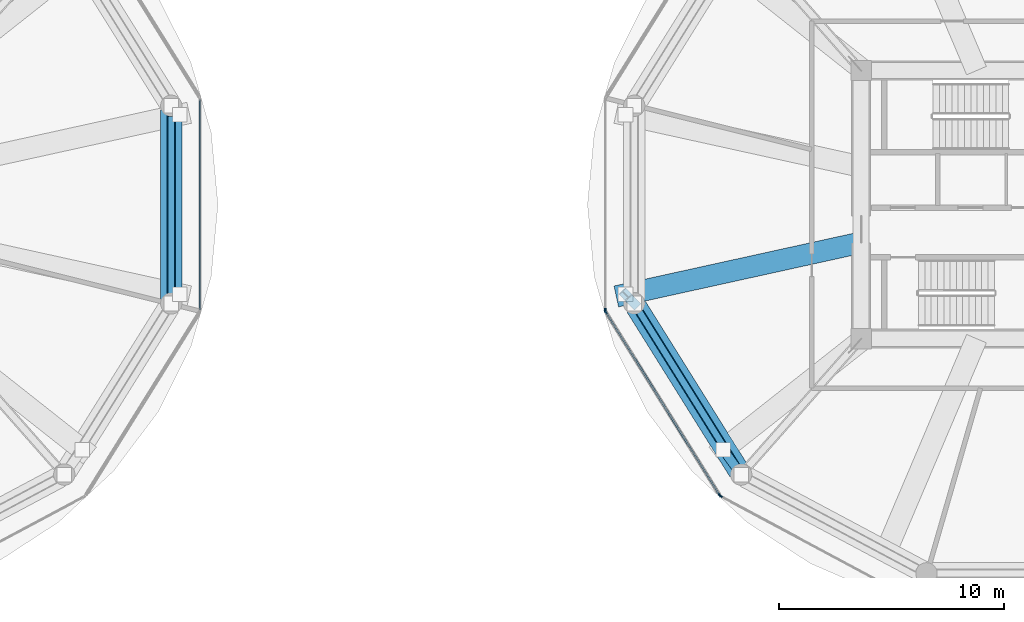
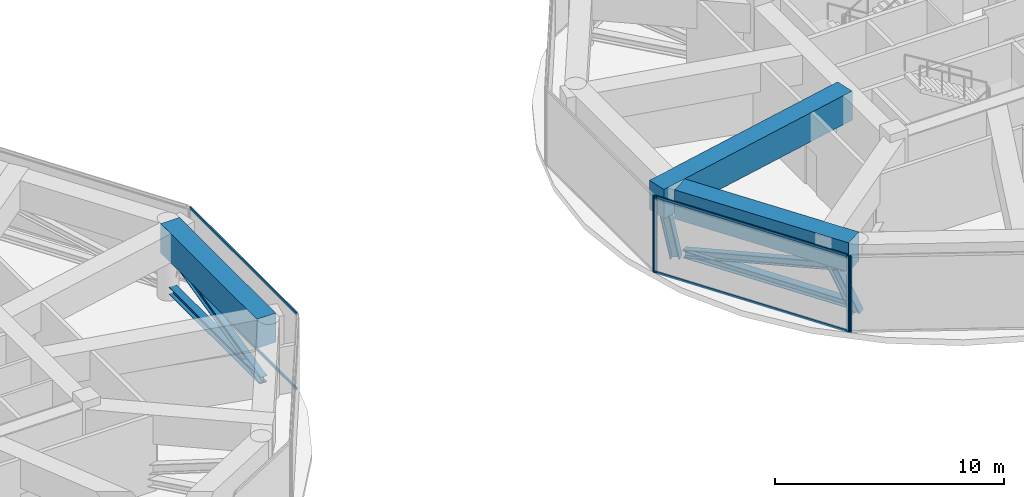
# One storey, part 6 of 22: 14 members, 3 beams, 4 elements without a shape of their own.
"""IFC4 building model written with IfcOpenShell, lengths in metres."""

from ifc_helpers import new_model, si_unit, direction, frame, origin, origin_2d, place, context, subcontext, project, spatial, rectangle, i_section, extrude, source, transform, mapped, material, layer, layer_set, material_profile, profile_set, type_object, type_shapes, element, aggregate, save


model = new_model("IFC4")

# Units and contexts
model_context = context("Model", 3, precision=1e-05, world=origin(), true_north=direction((0.0, 1.0)))
body_context = subcontext(model_context, "Body", "Model", "MODEL_VIEW")
ifc_project = project(units=[si_unit("LENGTHUNIT", "METRE"), si_unit("AREAUNIT", "SQUARE_METRE"), si_unit("VOLUMEUNIT", "CUBIC_METRE"), si_unit("PLANEANGLEUNIT", "RADIAN"), si_unit("MASSUNIT", "GRAM", prefix="KILO")], contexts=[model_context])

# Site, building, storey
site_placement = place(None, origin())
site = spatial("IfcSite", under=ifc_project, at=site_placement, CompositionType="ELEMENT")
building_placement = place(site_placement, origin())
building = spatial("IfcBuilding", under=site, at=building_placement, Name="Norrkilde Senior Care Towers", CompositionType="ELEMENT")
storey_placement = place(building_placement, frame((0.0, 0.0, 73.449951171875)))
storey = spatial("IfcBuildingStorey", under=building, at=storey_placement, Name="L22", CompositionType="ELEMENT", Elevation=73.449951171875)

# Beams
ifc_material_1 = material(Name="Concrete C60/75", Category="concrete")
ifc_material_profile_1 = material_profile(ifc_material_1, rectangle(XDim=0.949951171875, YDim=1.550048828125, at=origin_2d()), Name="RC TG 950x1550")
ifc_profile_set_1 = profile_set([ifc_material_profile_1], Name="Concrete C60/75")
beam_type = type_object("IfcBeamType", Name="Transfer Girder Zone Shift 950x1550", PredefinedType="USERDEFINED", material=ifc_profile_set_1)
shared_shape_1 = source(origin(), body_context, "Body", "SweptSolid", [
    extrude(rectangle(XDim=0.949951171875, YDim=1.550048828125, at=origin_2d()), origin(), (0.0, 0.0, 1.0), 8.6005859375),
])
beam_1_placement = place(storey_placement, frame((10.37060546875, -4.53955078125, 3.304931640625), z_axis=(0.53002700696, -0.847980761511, 0.0), x_axis=(0.847980761511, 0.53002700696, 0.0)))
element("IfcBeam", 1, at=beam_1_placement, inside=storey, type_object=beam_type, Name="L22 Drum E Zone Ring Transfer Girder 07", ObjectType="GIRDER", PredefinedType="USERDEFINED", context=body_context, shape_type="MappedRepresentation", body=[
    mapped(shared_shape_1, transform((0.0, 0.0, 0.0), x_axis=(1.0, 0.0, 0.0), y_axis=(0.0, 1.0, 0.0), z_axis=(0.0, 0.0, 1.0), scale=1.0)),
])
shared_shape_2 = source(origin(), body_context, "Body", "SweptSolid", [
    extrude(rectangle(XDim=0.949951171875, YDim=1.550048828125, at=origin_2d()), origin(), (0.0, 0.0, 1.0), 8.4140625),
])
beam_2_placement = place(storey_placement, frame((-10.275146484375, -4.20703125, 3.304931640625), z_axis=(0.0, 1.0, 0.0), x_axis=(-1.0, 0.0, 0.0)))
element("IfcBeam", 2, at=beam_2_placement, inside=storey, type_object=beam_type, Name="L22 Drum W Zone Ring Transfer Girder 12", ObjectType="GIRDER", PredefinedType="USERDEFINED", context=body_context, shape_type="MappedRepresentation", body=[
    mapped(shared_shape_2, transform((0.0, 0.0, 0.0), x_axis=(1.0, 0.0, 0.0), y_axis=(0.0, 1.0, 0.0), z_axis=(0.0, 0.0, 1.0), scale=1.0)),
])
shared_shape_3 = source(origin(), body_context, "Body", "SweptSolid", [
    extrude(rectangle(XDim=0.949951171875, YDim=1.550048828125, at=origin_2d()), origin(), (0.0, 0.0, 1.0), 11.12939453125),
])
type_shapes(beam_type, [shared_shape_1, shared_shape_2, shared_shape_3])
beam_3_placement = place(storey_placement, frame((20.35009765625, -1.683837890625, 3.304931640625), z_axis=(-0.976618681418, -0.214978955029, 0.0), x_axis=(0.214978955029, -0.976618681418, 0.0)))
element("IfcBeam", 3, at=beam_3_placement, inside=storey, type_object=beam_type, Name="L22 Drum E Zone Transfer Girder 07", ObjectType="GIRDER", PredefinedType="USERDEFINED", context=body_context, shape_type="MappedRepresentation", body=[
    mapped(shared_shape_3, transform((0.0, 0.0, 0.0), x_axis=(1.0, 0.0, 0.0), y_axis=(0.0, 1.0, 0.0), z_axis=(0.0, 0.0, 1.0), scale=1.0)),
])

# Members
ifc_material_2 = material(Name="Steel S355", Category="steel")
ifc_material_profile_2 = material_profile(ifc_material_2, i_section(OverallWidth=0.412109375, OverallDepth=0.449951171875, WebThickness=0.028076171875, FlangeThickness=0.044921875, FilletRadius=0.014892578125, at=origin_2d()), Name="HD 400x509")
ifc_profile_set_2 = profile_set([ifc_material_profile_2], Name="Steel S355")
member_type_1 = type_object("IfcMemberType", Name="Pratt Bridge Truss Diagonal HD400x509", PredefinedType="BRACE", material=ifc_profile_set_2)
shared_shape_4 = source(origin(), body_context, "Body", "SweptSolid", [
    extrude(i_section(OverallWidth=0.412109375, OverallDepth=0.449951171875, WebThickness=0.028076171875, FlangeThickness=0.044921875, FilletRadius=0.014892578125, at=origin_2d()), origin(), (0.0, 0.0, 1.0), 2.73681640625),
])
member_1_placement = place(storey_placement, frame((10.275146484375, -4.386962890625, 0.150146484375), z_axis=(-0.140320627071, 0.146475823045, 0.979211394379), x_axis=(-0.722116345389, -0.691771626855, 0.0)))
element("IfcMember", 4, at=member_1_placement, inside=storey, type_object=member_type_1, Name="L22 Drum E Zone Transfer Raking Strut 07", PredefinedType="BRACE", context=body_context, shape_type="MappedRepresentation", body=[
    mapped(shared_shape_4, transform((0.0, 0.0, 0.0), x_axis=(1.0, 0.0, 0.0), y_axis=(0.0, 1.0, 0.0), z_axis=(0.0, 0.0, 1.0), scale=1.0)),
])
shared_shape_5 = source(origin(), body_context, "Body", "SweptSolid", [
    extrude(i_section(OverallWidth=0.412109375, OverallDepth=0.449951171875, WebThickness=0.028076171875, FlangeThickness=0.044921875, FilletRadius=0.014892578125, at=origin_2d()), origin(), (0.0, 0.0, 1.0), 3.0087890625),
])
type_shapes(member_type_1, [shared_shape_4, shared_shape_5])
member_2_placement = place(storey_placement, frame((15.024658203125, -11.9853515625, 0.150146484375), z_axis=(-0.266304591803, 0.368461045514, 0.890684187758), x_axis=(-0.810476806317, -0.585770728547, 0.0)))
element("IfcMember", 5, at=member_2_placement, inside=storey, type_object=member_type_1, Name="L22 Drum E Zone Transfer Raking Strut 08", PredefinedType="BRACE", context=body_context, shape_type="MappedRepresentation", body=[
    mapped(shared_shape_5, transform((0.0, 0.0, 0.0), x_axis=(1.0, 0.0, 0.0), y_axis=(0.0, 1.0, 0.0), z_axis=(0.0, 0.0, 1.0), scale=1.0)),
])
ifc_material_profile_3 = material_profile(ifc_material_2, i_section(OverallWidth=0.3740234375, OverallDepth=0.386962890625, WebThickness=0.01611328125, FlangeThickness=0.027099609375, FilletRadius=0.014892578125, at=origin_2d()), Name="HD 360x262")
ifc_profile_set_3 = profile_set([ifc_material_profile_3], Name="Steel S355")
member_type_2 = type_object("IfcMemberType", Name="Belt Truss Ring Chord HD360x262", PredefinedType="CHORD", material=ifc_profile_set_3)
shared_shape_6 = source(origin(), body_context, "Body", "SweptSolid", [
    extrude(i_section(OverallWidth=0.3740234375, OverallDepth=0.386962890625, WebThickness=0.01611328125, FlangeThickness=0.027099609375, FilletRadius=0.014892578125, at=origin_2d()), origin(), (0.0, 0.0, 1.0), 8.090576171875),
])
member_3_placement = place(storey_placement, frame((10.505859375, -4.755859375, 0.550048828125), z_axis=(0.530004364821, -0.84799491347, 0.0), x_axis=(0.84799491347, 0.530004364821, 0.0)))
element("IfcMember", 6, at=member_3_placement, inside=storey, type_object=member_type_2, Name="L22 Drum E Belt Truss Bottom Chord 07", PredefinedType="CHORD", context=body_context, shape_type="MappedRepresentation", body=[
    mapped(shared_shape_6, transform((0.0, 0.0, 0.0), x_axis=(1.0, 0.0, 0.0), y_axis=(0.0, 1.0, 0.0), z_axis=(0.0, 0.0, 1.0), scale=1.0)),
])
ifc_material_profile_4 = material_profile(ifc_material_2, i_section(OverallWidth=0.300048828125, OverallDepth=0.39990234375, WebThickness=0.013427734375, FlangeThickness=0.02392578125, FilletRadius=0.027099609375, at=origin_2d()), Name="HEB 400")
ifc_profile_set_4 = profile_set([ifc_material_profile_4], Name="Steel S355")
member_type_3 = type_object("IfcMemberType", Name="Belt Truss Diagonal HEB400", PredefinedType="BRACE", material=ifc_profile_set_4)
shared_shape_7 = source(origin(), body_context, "Body", "SweptSolid", [
    extrude(i_section(OverallWidth=0.300048828125, OverallDepth=0.39990234375, WebThickness=0.013427734375, FlangeThickness=0.02392578125, FilletRadius=0.027099609375, at=origin_2d()), origin(), (0.0, 0.0, 1.0), 8.317626953125),
])
member_4_placement = place(storey_placement, frame((10.505859375, -4.755859375, 0.550048828125), z_axis=(0.515540041994, -0.824852326355, 0.232028241401), x_axis=(0.84799491347, 0.530004364821, 0.0)))
element("IfcMember", 7, at=member_4_placement, inside=storey, type_object=member_type_3, Name="L22 Drum E Belt Truss Diagonal 07", PredefinedType="BRACE", context=body_context, shape_type="MappedRepresentation", body=[
    mapped(shared_shape_7, transform((0.0, 0.0, 0.0), x_axis=(1.0, 0.0, 0.0), y_axis=(0.0, 1.0, 0.0), z_axis=(0.0, 0.0, 1.0), scale=1.0)),
])
shared_shape_8 = source(origin(), body_context, "Body", "SweptSolid", [
    extrude(i_section(OverallWidth=0.3740234375, OverallDepth=0.386962890625, WebThickness=0.01611328125, FlangeThickness=0.027099609375, FilletRadius=0.014892578125, at=origin_2d()), origin(), (0.0, 0.0, 1.0), 7.90380859375),
])
type_shapes(member_type_2, [shared_shape_6, shared_shape_8])
member_5_placement = place(storey_placement, frame((-10.275146484375, -3.951904296875, 0.550048828125), z_axis=(0.0, 1.0, 0.0), x_axis=(-1.0, 0.0, 0.0)))
element("IfcMember", 8, at=member_5_placement, inside=storey, type_object=member_type_2, Name="L22 Drum W Belt Truss Bottom Chord 12", PredefinedType="CHORD", context=body_context, shape_type="MappedRepresentation", body=[
    mapped(shared_shape_8, transform((0.0, 0.0, 0.0), x_axis=(1.0, 0.0, 0.0), y_axis=(0.0, 1.0, 0.0), z_axis=(0.0, 0.0, 1.0), scale=1.0)),
])
shared_shape_9 = source(origin(), body_context, "Body", "SweptSolid", [
    extrude(i_section(OverallWidth=0.300048828125, OverallDepth=0.39990234375, WebThickness=0.013427734375, FlangeThickness=0.02392578125, FilletRadius=0.027099609375, at=origin_2d()), origin(), (0.0, 0.0, 1.0), 8.135986328125),
])
type_shapes(member_type_3, [shared_shape_7, shared_shape_9])
member_6_placement = place(storey_placement, frame((-10.275146484375, -3.951904296875, 0.550048828125), z_axis=(0.0, 0.971458808633, 0.237208311677), x_axis=(-1.0, 0.0, 0.0)))
element("IfcMember", 9, at=member_6_placement, inside=storey, type_object=member_type_3, Name="L22 Drum W Belt Truss Diagonal 12", PredefinedType="BRACE", context=body_context, shape_type="MappedRepresentation", body=[
    mapped(shared_shape_9, transform((0.0, 0.0, 0.0), x_axis=(1.0, 0.0, 0.0), y_axis=(0.0, 1.0, 0.0), z_axis=(0.0, 0.0, 1.0), scale=1.0)),
])

# Curtain wall, member
ifc_material_3 = material(Name="Triple Low-E Insulated Glazing", Category="glass")
ifc_layer = layer(ifc_material_3, 0.18505859375)
ifc_layer_set = layer_set([ifc_layer], Name="Triple Low-E Insulated Glazing")
curtain_wall_type = type_object("IfcCurtainWallType", Name="CW6 Zone 4 Crown Pavilion Curtain Wall", PredefinedType="NOTDEFINED", material=ifc_layer_set)
curtain_wall_1_placement = place(storey_placement, origin())
curtain_wall_1 = element("IfcCurtainWall", 10, at=curtain_wall_1_placement, inside=storey, type_object=curtain_wall_type, Name="L22 Drum E Curtain Wall 05", PredefinedType="NOTDEFINED")
ifc_material_4 = material(Name="Anodised Aluminium", Category="aluminium")
ifc_material_profile_5 = material_profile(ifc_material_4, rectangle(XDim=0.070068359375, YDim=0.169921875, at=origin_2d()), Name="ALU MULL 70x170")
ifc_profile_set_5 = profile_set([ifc_material_profile_5], Name="Anodised Aluminium")
member_type_4 = type_object("IfcMemberType", Name="Curtain Wall Mullion Heavy 70x170", PredefinedType="MULLION", material=ifc_profile_set_5)
shared_shape_10 = source(origin(), body_context, "Body", "SweptSolid", [
    extrude(rectangle(XDim=0.070068359375, YDim=0.169921875, at=origin_2d()), origin(), (0.0, 0.0, 1.0), 4.080078125),
])
type_shapes(member_type_4, [shared_shape_10])
member_7_placement = place(storey_placement, frame((8.990478515625, -4.6962890625, 0.0), z_axis=(0.0, 0.0, 1.0), x_axis=(-1.0, 0.0, 0.0)))
member_7 = element("IfcMember", 11, at=member_7_placement, type_object=member_type_4, Name="CW-6 mullion 1", PredefinedType="MULLION", context=body_context, shape_type="MappedRepresentation", body=[
    mapped(shared_shape_10, transform((0.0, 0.0, 0.0), x_axis=(1.0, 0.0, 0.0), y_axis=(0.0, 1.0, 0.0), z_axis=(0.0, 0.0, 1.0), scale=1.0)),
])
aggregate(curtain_wall_1, [member_7])

# Curtain wall, members
curtain_wall_2_placement = place(storey_placement, origin())
curtain_wall_2 = element("IfcCurtainWall", 12, at=curtain_wall_2_placement, inside=storey, type_object=curtain_wall_type, Name="L22 Drum E Curtain Wall 06", PredefinedType="NOTDEFINED")
member_8_placement = place(storey_placement, frame((14.065673828125, -12.896240234375, 0.0), z_axis=(0.0, 0.0, 1.0), x_axis=(-0.849305943117, -0.527900951871, 0.0)))
member_8 = element("IfcMember", 13, at=member_8_placement, type_object=member_type_4, Name="CW-6 mullion 1", PredefinedType="MULLION", context=body_context, shape_type="MappedRepresentation", body=[
    mapped(shared_shape_10, transform((0.0, 0.0, 0.0), x_axis=(1.0, 0.0, 0.0), y_axis=(0.0, 1.0, 0.0), z_axis=(0.0, 0.0, 1.0), scale=1.0)),
])
member_9_placement = place(storey_placement, frame((9.009033203125, -4.760986328125, 0.0), z_axis=(0.0, 0.0, 1.0), x_axis=(-0.849305943117, -0.527900951871, 0.0)))
member_9 = element("IfcMember", 14, at=member_9_placement, type_object=member_type_4, Name="CW-6 mullion 2", PredefinedType="MULLION", context=body_context, shape_type="MappedRepresentation", body=[
    mapped(shared_shape_10, transform((0.0, 0.0, 0.0), x_axis=(1.0, 0.0, 0.0), y_axis=(0.0, 1.0, 0.0), z_axis=(0.0, 0.0, 1.0), scale=1.0)),
])

# Curtain wall, member
curtain_wall_3_placement = place(storey_placement, origin())
curtain_wall_3 = element("IfcCurtainWall", 15, at=curtain_wall_3_placement, inside=storey, type_object=curtain_wall_type, Name="L22 Drum E Curtain Wall 07", PredefinedType="NOTDEFINED")
member_10_placement = place(storey_placement, frame((14.114990234375, -12.9423828125, 0.0), z_axis=(0.0, 0.0, 1.0), x_axis=(-0.472607802456, -0.881272866403, 0.0)))
member_10 = element("IfcMember", 16, at=member_10_placement, type_object=member_type_4, Name="CW-6 mullion 2", PredefinedType="MULLION", context=body_context, shape_type="MappedRepresentation", body=[
    mapped(shared_shape_10, transform((0.0, 0.0, 0.0), x_axis=(1.0, 0.0, 0.0), y_axis=(0.0, 1.0, 0.0), z_axis=(0.0, 0.0, 1.0), scale=1.0)),
])
aggregate(curtain_wall_3, [member_10])

# Member
ifc_material_profile_6 = material_profile(ifc_material_4, rectangle(XDim=0.06494140625, YDim=0.1298828125, at=origin_2d()), Name="ALU TRAN 65x130")
ifc_profile_set_6 = profile_set([ifc_material_profile_6], Name="Anodised Aluminium")
member_type_5 = type_object("IfcMemberType", Name="Curtain Wall Transom Heavy 65x130", PredefinedType="USERDEFINED", material=ifc_profile_set_6)
shared_shape_11 = source(origin(), body_context, "Body", "SweptSolid", [
    extrude(rectangle(XDim=0.06494140625, YDim=0.1298828125, at=origin_2d()), origin(), (0.0, 0.0, 1.0), 9.508544921875),
])
member_11_placement = place(storey_placement, frame((14.047119140625, -12.866455078125, 0.032470703125), z_axis=(-0.527897081271, 0.849308348944, 0.0), x_axis=(-0.849308348944, -0.527897081271, 0.0)))
member_11 = element("IfcMember", 17, at=member_11_placement, type_object=member_type_5, Name="CW-6 transom 1.1", ObjectType="TRANSOM", PredefinedType="USERDEFINED", context=body_context, shape_type="MappedRepresentation", body=[
    mapped(shared_shape_11, transform((0.0, 0.0, 0.0), x_axis=(1.0, 0.0, 0.0), y_axis=(0.0, 1.0, 0.0), z_axis=(0.0, 0.0, 1.0), scale=1.0)),
])

member_12_placement = place(storey_placement, frame((14.047119140625, -12.866455078125, 4.047607421875), z_axis=(-0.527897081271, 0.849308348944, 0.0), x_axis=(-0.849308348944, -0.527897081271, 0.0)))
member_12 = element("IfcMember", 18, at=member_12_placement, type_object=member_type_5, Name="CW-6 transom 1.2", ObjectType="TRANSOM", PredefinedType="USERDEFINED", context=body_context, shape_type="MappedRepresentation", body=[
    mapped(shared_shape_11, transform((0.0, 0.0, 0.0), x_axis=(1.0, 0.0, 0.0), y_axis=(0.0, 1.0, 0.0), z_axis=(0.0, 0.0, 1.0), scale=1.0)),
])

aggregate(curtain_wall_2, [member_8, member_9, member_11, member_12])

# Curtain wall, members
curtain_wall_4_placement = place(storey_placement, origin())
curtain_wall_4 = element("IfcCurtainWall", 19, at=curtain_wall_4_placement, inside=storey, type_object=curtain_wall_type, Name="L22 Drum W Curtain Wall 11", PredefinedType="NOTDEFINED")
shared_shape_12 = source(origin(), body_context, "Body", "SweptSolid", [
    extrude(rectangle(XDim=0.06494140625, YDim=0.1298828125, at=origin_2d()), origin(), (0.0, 0.0, 1.0), 9.322265625),
])
type_shapes(member_type_5, [shared_shape_11, shared_shape_12])
member_13_placement = place(storey_placement, frame((-8.990478515625, 4.6611328125, 0.032470703125), z_axis=(0.0, -1.0, 0.0), x_axis=(1.0, 0.0, 0.0)))
member_13 = element("IfcMember", 20, at=member_13_placement, type_object=member_type_5, Name="CW-6 transom 1.1", ObjectType="TRANSOM", PredefinedType="USERDEFINED", context=body_context, shape_type="MappedRepresentation", body=[
    mapped(shared_shape_12, transform((0.0, 0.0, 0.0), x_axis=(1.0, 0.0, 0.0), y_axis=(0.0, 1.0, 0.0), z_axis=(0.0, 0.0, 1.0), scale=1.0)),
])
member_14_placement = place(storey_placement, frame((-8.990478515625, 4.6611328125, 4.047607421875), z_axis=(0.0, -1.0, 0.0), x_axis=(1.0, 0.0, 0.0)))
member_14 = element("IfcMember", 21, at=member_14_placement, type_object=member_type_5, Name="CW-6 transom 1.2", ObjectType="TRANSOM", PredefinedType="USERDEFINED", context=body_context, shape_type="MappedRepresentation", body=[
    mapped(shared_shape_12, transform((0.0, 0.0, 0.0), x_axis=(1.0, 0.0, 0.0), y_axis=(0.0, 1.0, 0.0), z_axis=(0.0, 0.0, 1.0), scale=1.0)),
])
aggregate(curtain_wall_4, [member_13, member_14])

save(model, "model.ifc")
